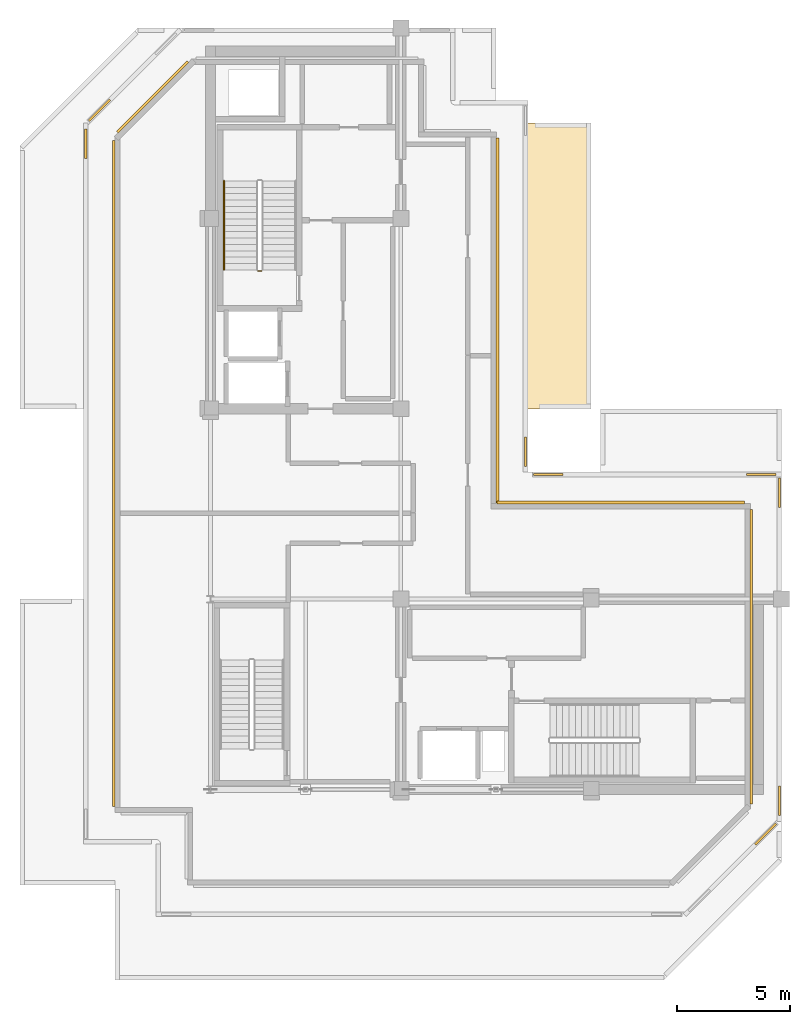
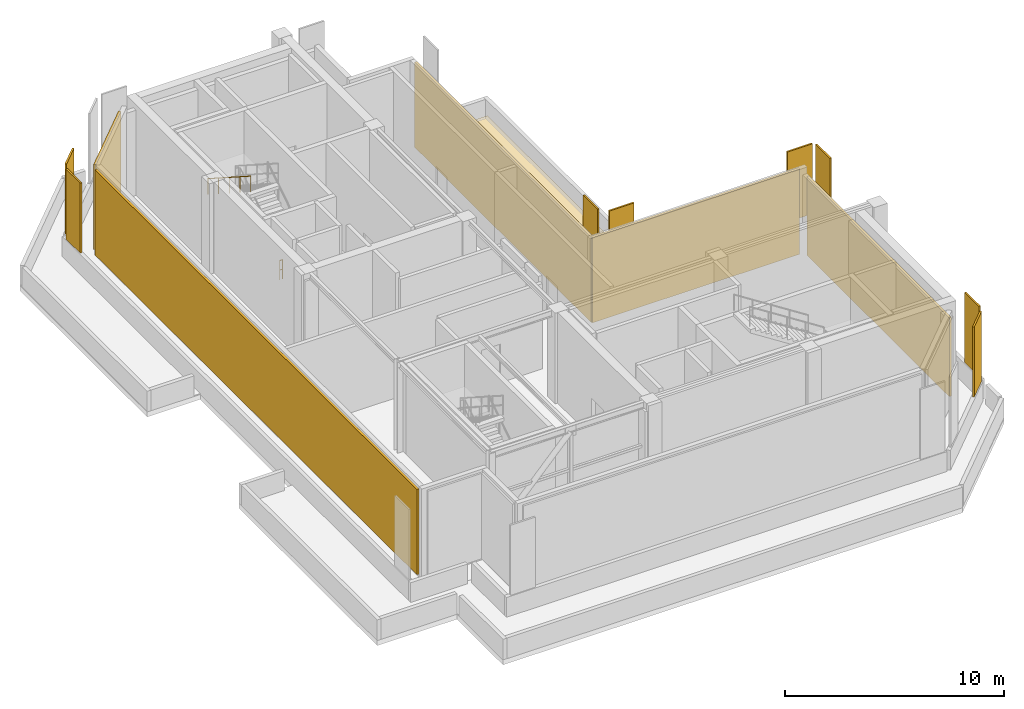
# One storey, part 8 of 9: 9 coverings, 5 shading devices, 2 railings.
"""IFC4 building model written with IfcOpenShell, lengths in metres."""

from ifc_helpers import new_model, si_unit, direction, frame, origin, origin_2d, place, context, subcontext, project, spatial, polyline, rectangle, circle, outline, extrude, material, layer, layer_set, type_object, element, save


model = new_model("IFC4")

# Units and contexts
model_context = context("Model", 3, precision=1e-05, world=origin(), true_north=direction((0.0, 1.0)))
body_context = subcontext(model_context, "Body", "Model", "MODEL_VIEW")
ifc_project = project(units=[si_unit("LENGTHUNIT", "METRE"), si_unit("AREAUNIT", "SQUARE_METRE"), si_unit("VOLUMEUNIT", "CUBIC_METRE"), si_unit("PLANEANGLEUNIT", "RADIAN"), si_unit("MASSUNIT", "GRAM", prefix="KILO")], contexts=[model_context])

# Site, building, storey
site_placement = place(None, origin())
site = spatial("IfcSite", under=ifc_project, at=site_placement, CompositionType="ELEMENT")
building_placement = place(site_placement, origin())
building = spatial("IfcBuilding", under=site, at=building_placement, Name="Nerrivon Quay Data Exchange", CompositionType="ELEMENT")
storey_placement = place(building_placement, frame((0.0, 0.0, 333.0)))
storey = spatial("IfcBuildingStorey", under=building, at=storey_placement, Name="L79", CompositionType="ELEMENT", Elevation=333.0)

# Coverings
ifc_material_1 = material(Name="Bituminous waterproof roofing membrane", Category="concrete")
ifc_layer_1 = layer(ifc_material_1, 0.06005859375)
ifc_layer_set_1 = layer_set([ifc_layer_1], Name="Bituminous waterproof roofing membrane")
covering_type_1 = type_object("IfcCoveringType", Name="COV-ROOF-MEM1", PredefinedType="ROOFING", material=ifc_layer_set_1)
covering_placement = place(storey_placement, origin())
element("IfcCovering", 1, at=covering_placement, inside=storey, type_object=covering_type_1, Name="L79 Stepped Crown Roof Membrane 3", PredefinedType="ROOFING", context=body_context, shape_type="SweptSolid", body=[
    extrude(outline(polyline([(22.199951171875, 37.800048828125), (22.199951171875, 25.199951171875), (25.199951171875, 25.199951171875), (25.199951171875, 37.800048828125), (22.199951171875, 37.800048828125)])), origin(), (0.0, 0.0, 1.0), 0.050048828125),
])
ifc_material_2 = material(Name="Architectural terracotta ceramic", Category="masonry")
ifc_layer_2 = layer(ifc_material_2, 0.090087890625)
ifc_layer_set_2 = layer_set([ifc_layer_2], Name="Architectural terracotta ceramic")
covering_type_2 = type_object("IfcCoveringType", Name="COV-SCR-TERR", PredefinedType="CLADDING", material=ifc_layer_set_2)
for number, where, z_axis, x_axis, name in (
    (2, (32.892822265625, 6.434326171875, 1.150146484375), (0.0, 0.0, 1.0), (-0.707106781187, -0.707106781187, 0.0), "L79 Wind Turbine Slot Terracotta SOLAR SCREEN Shroud 1.1"),
    (3, (2.89990234375, 36.89990234375, 1.150146484375), (0.0, 0.0, 1.0), (0.0, 1.0, 0.0), "L79 Wind Turbine Slot Terracotta SOLAR SCREEN Shroud 5.2"),
    (4, (3.507080078125, 38.36572265625, 1.150146484375), (0.0, 0.0, 1.0), (0.707106781187, 0.707106781187, 0.0), "L79 Wind Turbine Slot Terracotta SOLAR SCREEN Shroud 6.1"),
    (5, (22.300048828125, 23.300048828125, 1.150146484375), (0.0, 0.0, 1.0), (0.0, -1.0, 0.0), "L79 Wind Turbine Slot Terracotta SOLAR SCREEN Shroud 10.2"),
    (6, (23.300048828125, 22.300048828125, 1.150146484375), (0.0, 0.0, 1.0), (1.0, 0.0, 0.0), "L79 Wind Turbine Slot Terracotta SOLAR SCREEN Shroud 11.1"),
    (7, (32.699951171875, 22.300048828125, 1.150146484375), (0.0, 0.0, 1.0), (1.0, 0.0, 0.0), "L79 Wind Turbine Slot Terracotta SOLAR SCREEN Shroud 11.2"),
    (8, (33.5, 21.5, 1.150146484375), (0.0, 0.0, 1.0), (0.0, -1.0, 0.0), "L79 Wind Turbine Slot Terracotta SOLAR SCREEN Shroud 12.1"),
    (9, (33.5, 7.89990234375, 1.150146484375), (0.0, 0.0, 1.0), (0.0, -1.0, 0.0), "L79 Wind Turbine Slot Terracotta SOLAR SCREEN Shroud 12.2"),
):
    element("IfcCovering", number, at=place(storey_placement, frame(where, z_axis=z_axis, x_axis=x_axis)), inside=storey, type_object=covering_type_2, Name=name, PredefinedType="CLADDING", context=body_context, shape_type="SweptSolid", body=[
        extrude(rectangle(XDim=1.300048828125, YDim=0.090087890625, at=origin_2d()), origin(), (0.0, 0.0, 1.0), 3.89990234375),
    ])

# Railings
ifc_material_3 = material(Name="Steel Grade C350L0 (350 MPa)", Category="steel")
railing_type_1 = type_object("IfcRailingType", Name="RAIL-HAND-HR1", PredefinedType="HANDRAIL", material=ifc_material_3)
railing_1_placement = place(storey_placement, frame((9.0, 35.25, 2.8798828125)))
element("IfcRailing", 10, at=railing_1_placement, inside=storey, type_object=railing_type_1, Name="L79 ST01 stair handrail 2", PredefinedType="HANDRAIL", context=body_context, shape_type="SweptSolid", body=[
    extrude(circle(Radius=0.02392578125, at=origin_2d()), frame((0.0, 0.0, 0.8759765625), z_axis=(0.0, -0.841171666519, 0.540768182723), x_axis=(1.0, 0.0, 0.0)), (0.0, 0.0, 1.0), 4.66015625),
    extrude(circle(Radius=0.02099609375, at=origin_2d()), origin(), (0.0, 0.0, 1.0), 0.851806640625),
    extrude(circle(Radius=0.02099609375, at=origin_2d()), frame((0.0, -0.97998046875, 0.6298828125)), (0.0, 0.0, 1.0), 0.851806640625),
    extrude(circle(Radius=0.02099609375, at=origin_2d()), frame((0.0, -1.9599609375, 1.260009765625)), (0.0, 0.0, 1.0), 0.851806640625),
    extrude(circle(Radius=0.02099609375, at=origin_2d()), frame((0.0, -2.93994140625, 1.89013671875)), (0.0, 0.0, 1.0), 0.851806640625),
    extrude(circle(Radius=0.02099609375, at=origin_2d()), frame((0.0, -3.919921875, 2.52001953125)), (0.0, 0.0, 1.0), 0.851806640625),
])
railing_type_2 = type_object("IfcRailingType", Name="RAIL-STAIR-GR1", PredefinedType="BALUSTRADE", material=ifc_material_3)
railing_2_placement = place(storey_placement, frame((10.64990234375, 31.280029296875, 0.0)))
element("IfcRailing", 11, at=railing_2_placement, inside=storey, type_object=railing_type_2, Name="L79 ST01 stair guard 4", PredefinedType="BALUSTRADE", context=body_context, shape_type="SweptSolid", body=[
    extrude(circle(Radius=0.02392578125, at=origin_2d()), frame((0.0, 0.0, 1.076171875), z_axis=(-1.0, 0.0, 0.0), x_axis=(0.0, -1.0, 0.0)), (0.0, 0.0, 1.0), 0.14990234375),
    extrude(circle(Radius=0.02392578125, at=origin_2d()), frame((0.0, 0.0, 0.550048828125), z_axis=(-1.0, 0.0, 0.0), x_axis=(0.0, -1.0, 0.0)), (0.0, 0.0, 1.0), 0.14990234375),
    extrude(circle(Radius=0.02099609375, at=origin_2d()), origin(), (0.0, 0.0, 1.0), 1.052001953125),
    extrude(circle(Radius=0.02099609375, at=origin_2d()), frame((-0.14990234375, 0.0, 0.0)), (0.0, 0.0, 1.0), 1.052001953125),
])

# Shading devices
ifc_material_4 = material(Name="Anodised aluminium 6063-T6", Category="aluminium")
ifc_layer_3 = layer(ifc_material_4, 0.1201171875)
ifc_layer_set_3 = layer_set([ifc_layer_3], Name="Anodised aluminium 6063-T6")
shading_device_type = type_object("IfcShadingDeviceType", Name="SHD-LOUV-LV01", PredefinedType="JALOUSIE", material=ifc_layer_set_3)
shading_device_1_placement = place(storey_placement, frame((32.260009765625, 14.260498046875, 0.14990234375), z_axis=(0.0, 0.0, 1.0), x_axis=(0.0, -1.0, 0.0)))
element("IfcShadingDevice", 12, at=shading_device_1_placement, inside=storey, type_object=shading_device_type, Name="L79 Acoustic Turbine Louvre LV01-1", PredefinedType="JALOUSIE", context=body_context, shape_type="SweptSolid", body=[
    extrude(rectangle(XDim=12.978759765625, YDim=0.1201171875, at=origin_2d()), origin(), (0.0, 0.0, 1.0), 4.39111328125),
])
shading_device_2_placement = place(storey_placement, frame((4.139892578125, 22.33935546875, 0.14990234375), z_axis=(0.0, 0.0, 1.0), x_axis=(0.0, 1.0, 0.0)))
element("IfcShadingDevice", 13, at=shading_device_2_placement, inside=storey, type_object=shading_device_type, Name="L79 Acoustic Turbine Louvre LV01-6", PredefinedType="JALOUSIE", context=body_context, shape_type="SweptSolid", body=[
    extrude(rectangle(XDim=29.378662109375, YDim=0.1201171875, at=origin_2d()), origin(), (0.0, 0.0, 1.0), 4.75),
])
shading_device_3_placement = place(storey_placement, frame((5.847412109375, 38.952392578125, 0.14990234375), z_axis=(0.0, 0.0, 1.0), x_axis=(0.707106781187, 0.707106781187, 0.0)))
element("IfcShadingDevice", 14, at=shading_device_3_placement, inside=storey, type_object=shading_device_type, Name="L79 Acoustic Turbine Louvre LV01-7", PredefinedType="JALOUSIE", context=body_context, shape_type="SweptSolid", body=[
    extrude(rectangle(XDim=4.39697265625, YDim=0.1201171875, at=origin_2d()), origin(), (0.0, 0.0, 1.0), 4.75),
])
shading_device_4_placement = place(storey_placement, frame((21.06005859375, 29.10009765625, 0.14990234375), z_axis=(0.0, 0.0, 1.0), x_axis=(0.0, -1.0, 0.0)))
element("IfcShadingDevice", 15, at=shading_device_4_placement, inside=storey, type_object=shading_device_type, Name="L79 Acoustic Turbine Louvre LV01-11", PredefinedType="JALOUSIE", context=body_context, shape_type="SweptSolid", body=[
    extrude(rectangle(XDim=16.10009765625, YDim=0.1201171875, at=origin_2d()), origin(), (0.0, 0.0, 1.0), 4.75),
])
shading_device_5_placement = place(storey_placement, frame((26.5, 21.06005859375, 0.14990234375), z_axis=(0.0, 0.0, 1.0), x_axis=(1.0, 0.0, 0.0)))
element("IfcShadingDevice", 16, at=shading_device_5_placement, inside=storey, type_object=shading_device_type, Name="L79 Acoustic Turbine Louvre LV01-12", PredefinedType="JALOUSIE", context=body_context, shape_type="SweptSolid", body=[
    extrude(rectangle(XDim=10.89990234375, YDim=0.1201171875, at=origin_2d()), origin(), (0.0, 0.0, 1.0), 4.75),
])

save(model, "model.ifc")
